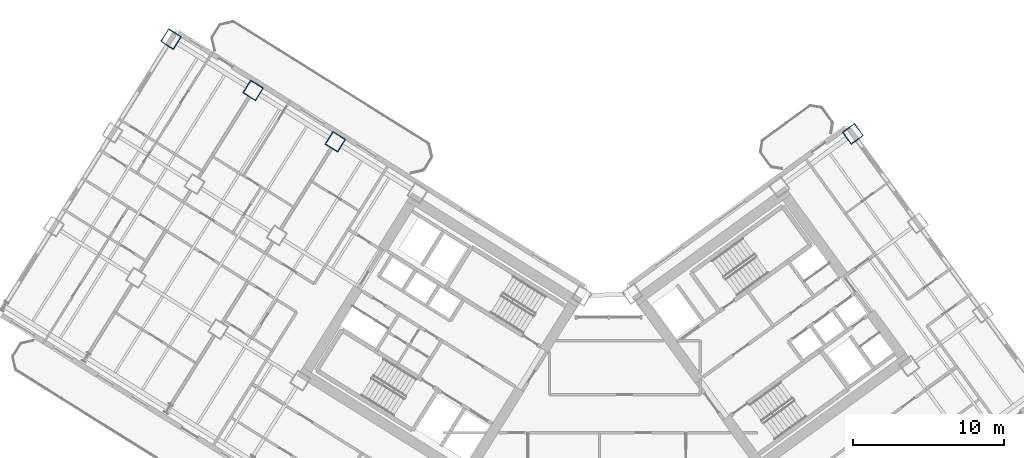
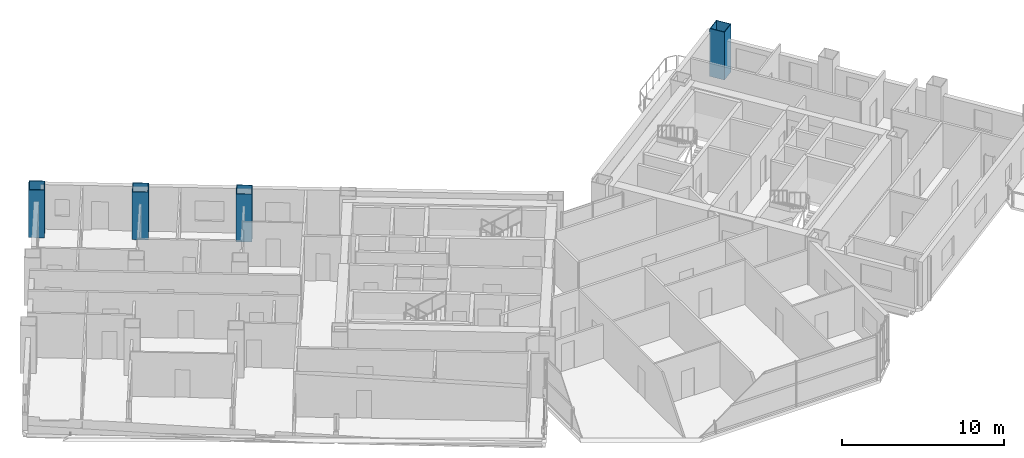
# One storey, part 3 of 24: 4 columns.
"""IFC4 building model written with IfcOpenShell, lengths in metres."""

from ifc_helpers import new_model, si_unit, direction, frame, origin, origin_2d, place, context, subcontext, project, spatial, hollow_rectangle, extrude, source, transform, mapped, material, material_profile, profile_set, type_object, element, save


model = new_model("IFC4")

# Units and contexts
model_context = context("Model", 3, precision=1e-05, world=origin(), true_north=direction((0.0, 1.0)))
body_context = subcontext(model_context, "Body", "Model", "MODEL_VIEW")
ifc_project = project(units=[si_unit("LENGTHUNIT", "METRE"), si_unit("AREAUNIT", "SQUARE_METRE"), si_unit("VOLUMEUNIT", "CUBIC_METRE"), si_unit("PLANEANGLEUNIT", "RADIAN"), si_unit("MASSUNIT", "GRAM", prefix="KILO")], contexts=[model_context])

# Site, building, storey
site_placement = place(None, origin())
site = spatial("IfcSite", under=ifc_project, at=site_placement, CompositionType="ELEMENT")
building_placement = place(site_placement, origin())
building = spatial("IfcBuilding", under=site, at=building_placement, Name="Tlacorven Tower", CompositionType="ELEMENT")
storey_placement = place(building_placement, frame((0.0, 0.0, 45.60009765625)))
storey = spatial("IfcBuildingStorey", under=building, at=storey_placement, Name="L11", CompositionType="ELEMENT", Elevation=45.60009765625)

# Columns
ifc_material = material(Name="Steel S460M", Category="steel")
ifc_material_profile = material_profile(ifc_material, hollow_rectangle(XDim=1.0, YDim=1.0, WallThickness=0.0400390625, at=origin_2d()), Name="BOX 1000X1000X40")
ifc_profile_set = profile_set([ifc_material_profile], Name="Steel S460M")
column_type = type_object("IfcColumnType", Name="COL-TWR-S1", PredefinedType="COLUMN", material=ifc_profile_set)
shared_shape = source(origin(), body_context, "Body", "SweptSolid", [
    extrude(hollow_rectangle(XDim=1.0, YDim=1.0, WallThickness=0.0400390625, at=origin_2d()), origin(), (0.0, 0.0, 1.0), 3.599853515625),
])
for number, where, z_axis, x_axis, name in (
    (1, (24.50048828125, 34.642822265625, 0.0), (0.0, 0.0, 1.0), (-0.848048096156, 0.529919264233, 0.0), "L11 column COL-L11-W4-1"),
    (2, (19.072998046875, 38.034423828125, 0.0), (0.0, 0.0, 1.0), (-0.848048096156, 0.529919264233, 0.0), "L11 column COL-L11-W5-1"),
    (3, (13.6455078125, 41.42578125, 0.0), (0.0, 0.0, 1.0), (-0.848048096156, 0.529919264233, 0.0), "L11 column COL-L11-W6-1"),
    (4, (58.68603515625, 35.165283203125, 0.0), (0.0, 0.0, 1.0), (0.809016994375, 0.587785252292, 0.0), "L11 column COL-L11-E4-4"),
):
    element("IfcColumn", number, at=place(storey_placement, frame(where, z_axis=z_axis, x_axis=x_axis)), inside=storey, type_object=column_type, Name=name, PredefinedType="COLUMN", context=body_context, shape_type="MappedRepresentation", body=[
        mapped(shared_shape, transform((0.0, 0.0, 0.0), scale=1.0)),
    ])

save(model, "model.ifc")
